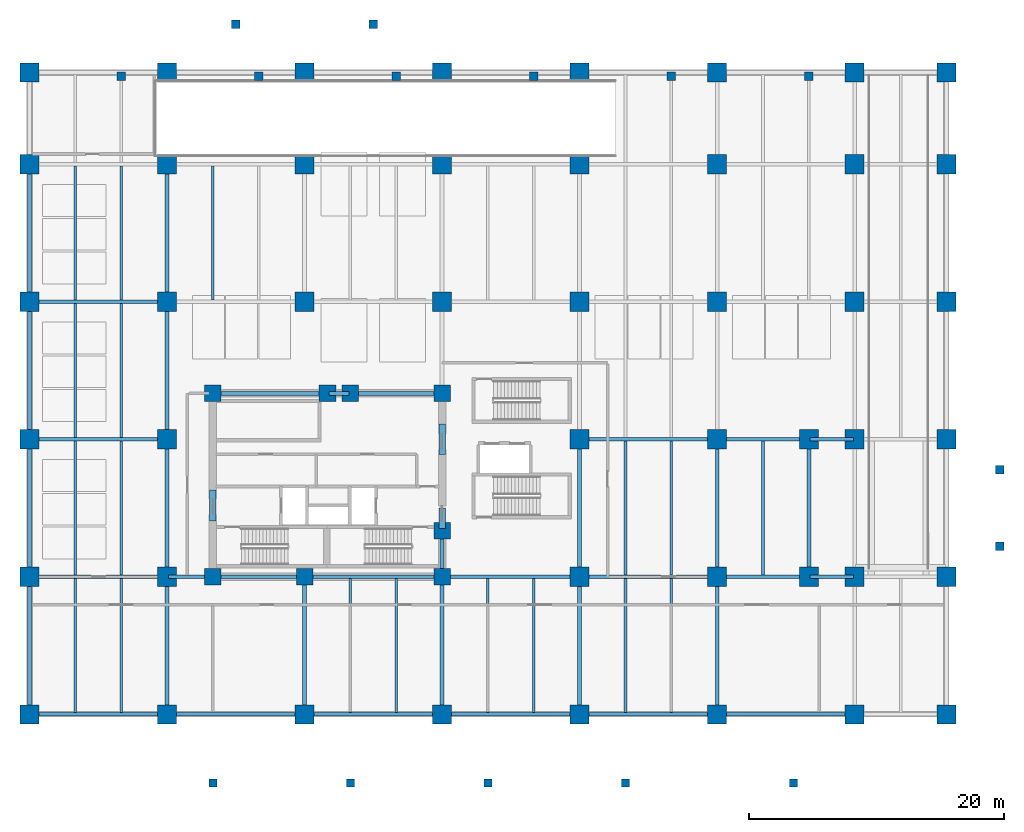
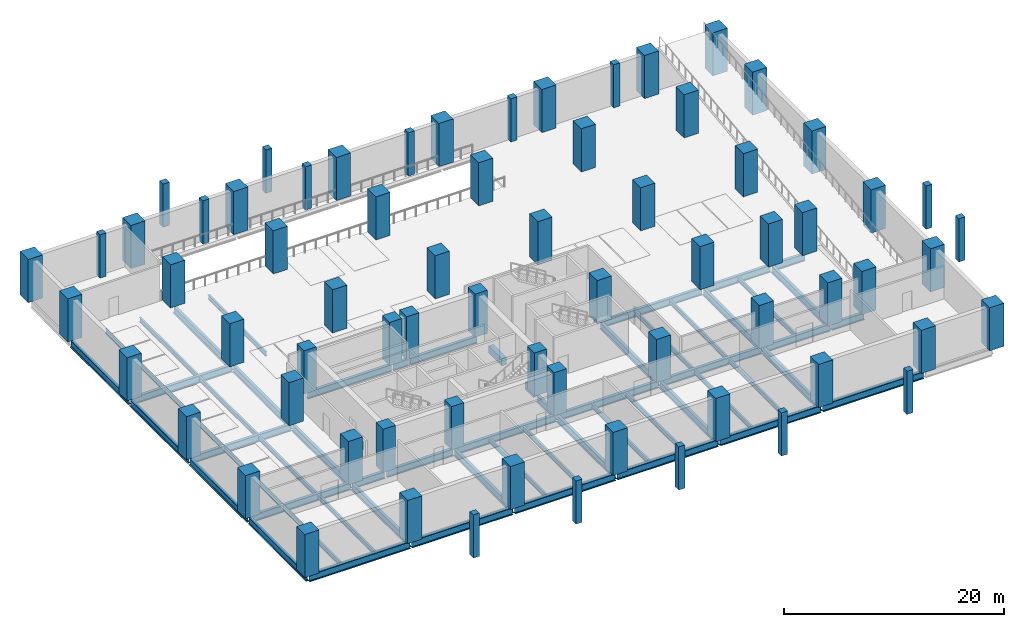
# One storey, part 1 of 8: 69 columns, 59 beams.
"""IFC4 building model written with IfcOpenShell, lengths in metres."""

from ifc_helpers import new_model, si_unit, direction, frame, origin, origin_2d, place, context, subcontext, project, spatial, rectangle, i_section, extrude, material, material_profile, profile_set, type_object, element, save


model = new_model("IFC4")

# Units and contexts
model_context = context("Model", 3, precision=1e-05, world=origin(), true_north=direction((0.0, 1.0)))
body_context = subcontext(model_context, "Body", "Model", "MODEL_VIEW")
ifc_project = project(units=[si_unit("LENGTHUNIT", "METRE"), si_unit("AREAUNIT", "SQUARE_METRE"), si_unit("VOLUMEUNIT", "CUBIC_METRE"), si_unit("PLANEANGLEUNIT", "RADIAN"), si_unit("MASSUNIT", "GRAM", prefix="KILO")], contexts=[model_context])

# Site, building, storey
site_placement = place(None, origin())
site = spatial("IfcSite", under=ifc_project, at=site_placement, CompositionType="ELEMENT")
building_placement = place(site_placement, origin())
building = spatial("IfcBuilding", under=site, at=building_placement, Name="Solnavia Interchange Tower", CompositionType="ELEMENT")
storey_placement = place(building_placement, frame((0.0, 0.0, -4.800048828125)))
storey = spatial("IfcBuildingStorey", under=building, at=storey_placement, Name="B01", CompositionType="ELEMENT", Elevation=-4.800048828125)

# Columns
ifc_material_1 = material(Name="Concrete C60/75", Category="concrete")
ifc_material_profile_1 = material_profile(ifc_material_1, rectangle(XDim=1.300048828125, YDim=1.300048828125, at=origin_2d()), Name="RC 1300x1300")
ifc_profile_set_1 = profile_set([ifc_material_profile_1], Name="Concrete C60/75")
column_type_1 = type_object("IfcColumnType", Name="Col-RC-1300x1300", PredefinedType="COLUMN", material=ifc_profile_set_1)
for number, where, z_axis, x_axis, name in (
    (1, (14.39990234375, 10.800048828125, 0.0), (0.0, 0.0, 1.0), (1.0, 0.0, 0.0), "COL-B01-P13 Podium core column"),
    (2, (14.39990234375, 25.199951171875, 0.0), (0.0, 0.0, 1.0), (1.0, 0.0, 0.0), "COL-B01-P14 Podium core column"),
    (3, (21.60009765625, 10.800048828125, 0.0), (0.0, 0.0, 1.0), (1.0, 0.0, 0.0), "COL-B01-P16 Podium core column"),
    (4, (23.39990234375, 25.199951171875, 0.0), (0.0, 0.0, 1.0), (1.0, 0.0, 0.0), "COL-B01-P20 Podium core column"),
    (5, (25.199951171875, 25.199951171875, 0.0), (0.0, 0.0, 1.0), (1.0, 0.0, 0.0), "COL-B01-P21 Podium core column"),
    (6, (32.39990234375, 10.800048828125, 0.0), (0.0, 0.0, 1.0), (1.0, 0.0, 0.0), "COL-B01-P23 Podium core column"),
    (7, (32.39990234375, 14.39990234375, 0.0), (0.0, 0.0, 1.0), (1.0, 0.0, 0.0), "COL-B01-P24 Podium core column"),
    (8, (32.39990234375, 25.199951171875, 0.0), (0.0, 0.0, 1.0), (1.0, 0.0, 0.0), "COL-B01-P25 Podium core column"),
):
    element("IfcColumn", number, at=place(storey_placement, frame(where, z_axis=z_axis, x_axis=x_axis)), inside=storey, type_object=column_type_1, Name=name, PredefinedType="COLUMN", context=body_context, shape_type="SweptSolid", body=[
        extrude(rectangle(XDim=1.300048828125, YDim=1.300048828125, at=origin_2d()), origin(), (0.0, 0.0, 1.0), 4.800048828125),
    ])
ifc_material_profile_2 = material_profile(ifc_material_1, rectangle(XDim=1.5, YDim=1.5, at=origin_2d()), Name="RC 1500x1500")
ifc_profile_set_2 = profile_set([ifc_material_profile_2], Name="Concrete C60/75")
column_type_2 = type_object("IfcColumnType", Name="Col-RC-1500x1500", PredefinedType="COLUMN", material=ifc_profile_set_2)
for number, where, z_axis, x_axis, name in (
    (9, (0.0, 0.0, 0.0), (0.0, 0.0, 1.0), (1.0, 0.0, 0.0), "COL-B01-P01 Podium concourse column"),
    (10, (0.0, 10.800048828125, 0.0), (0.0, 0.0, 1.0), (1.0, 0.0, 0.0), "COL-B01-P02 Podium concourse column"),
    (11, (0.0, 21.60009765625, 0.0), (0.0, 0.0, 1.0), (1.0, 0.0, 0.0), "COL-B01-P03 Podium concourse column"),
    (12, (0.0, 32.39990234375, 0.0), (0.0, 0.0, 1.0), (1.0, 0.0, 0.0), "COL-B01-P04 Podium concourse column"),
    (13, (0.0, 43.199951171875, 0.0), (0.0, 0.0, 1.0), (1.0, 0.0, 0.0), "COL-B01-P05 Podium concourse column"),
    (14, (0.0, 50.39990234375, 0.0), (0.0, 0.0, 1.0), (1.0, 0.0, 0.0), "COL-B01-P06 Podium concourse column"),
    (15, (10.800048828125, 0.0, 0.0), (0.0, 0.0, 1.0), (1.0, 0.0, 0.0), "COL-B01-P07 Podium concourse column"),
    (16, (10.800048828125, 10.800048828125, 0.0), (0.0, 0.0, 1.0), (1.0, 0.0, 0.0), "COL-B01-P08 Podium concourse column"),
    (17, (10.800048828125, 21.60009765625, 0.0), (0.0, 0.0, 1.0), (1.0, 0.0, 0.0), "COL-B01-P09 Podium concourse column"),
    (18, (10.800048828125, 32.39990234375, 0.0), (0.0, 0.0, 1.0), (1.0, 0.0, 0.0), "COL-B01-P10 Podium concourse column"),
    (19, (10.800048828125, 43.199951171875, 0.0), (0.0, 0.0, 1.0), (1.0, 0.0, 0.0), "COL-B01-P11 Podium concourse column"),
    (20, (10.800048828125, 50.39990234375, 0.0), (0.0, 0.0, 1.0), (1.0, 0.0, 0.0), "COL-B01-P12 Podium concourse column"),
    (21, (21.60009765625, 0.0, 0.0), (0.0, 0.0, 1.0), (1.0, 0.0, 0.0), "COL-B01-P15 Podium concourse column"),
    (22, (21.60009765625, 32.39990234375, 0.0), (0.0, 0.0, 1.0), (1.0, 0.0, 0.0), "COL-B01-P17 Podium concourse column"),
    (23, (21.60009765625, 43.199951171875, 0.0), (0.0, 0.0, 1.0), (1.0, 0.0, 0.0), "COL-B01-P18 Podium concourse column"),
    (24, (21.60009765625, 50.39990234375, 0.0), (0.0, 0.0, 1.0), (1.0, 0.0, 0.0), "COL-B01-P19 Podium concourse column"),
    (25, (32.39990234375, 0.0, 0.0), (0.0, 0.0, 1.0), (1.0, 0.0, 0.0), "COL-B01-P22 Podium concourse column"),
    (26, (32.39990234375, 32.39990234375, 0.0), (0.0, 0.0, 1.0), (1.0, 0.0, 0.0), "COL-B01-P26 Podium concourse column"),
    (27, (32.39990234375, 43.199951171875, 0.0), (0.0, 0.0, 1.0), (1.0, 0.0, 0.0), "COL-B01-P27 Podium concourse column"),
    (28, (32.39990234375, 50.39990234375, 0.0), (0.0, 0.0, 1.0), (1.0, 0.0, 0.0), "COL-B01-P28 Podium concourse column"),
    (29, (43.199951171875, 0.0, 0.0), (0.0, 0.0, 1.0), (1.0, 0.0, 0.0), "COL-B01-P29 Podium concourse column"),
    (30, (43.199951171875, 10.800048828125, 0.0), (0.0, 0.0, 1.0), (1.0, 0.0, 0.0), "COL-B01-P30 Podium concourse column"),
    (31, (43.199951171875, 21.60009765625, 0.0), (0.0, 0.0, 1.0), (1.0, 0.0, 0.0), "COL-B01-P31 Podium concourse column"),
    (32, (43.199951171875, 32.39990234375, 0.0), (0.0, 0.0, 1.0), (1.0, 0.0, 0.0), "COL-B01-P32 Podium concourse column"),
    (33, (43.199951171875, 43.199951171875, 0.0), (0.0, 0.0, 1.0), (1.0, 0.0, 0.0), "COL-B01-P33 Podium concourse column"),
    (34, (43.199951171875, 50.39990234375, 0.0), (0.0, 0.0, 1.0), (1.0, 0.0, 0.0), "COL-B01-P34 Podium concourse column"),
    (35, (54.0, 0.0, 0.0), (0.0, 0.0, 1.0), (1.0, 0.0, 0.0), "COL-B01-P35 Podium concourse column"),
    (36, (54.0, 10.800048828125, 0.0), (0.0, 0.0, 1.0), (1.0, 0.0, 0.0), "COL-B01-P36 Podium concourse column"),
    (37, (54.0, 21.60009765625, 0.0), (0.0, 0.0, 1.0), (1.0, 0.0, 0.0), "COL-B01-P37 Podium concourse column"),
    (38, (54.0, 32.39990234375, 0.0), (0.0, 0.0, 1.0), (1.0, 0.0, 0.0), "COL-B01-P38 Podium concourse column"),
    (39, (54.0, 43.199951171875, 0.0), (0.0, 0.0, 1.0), (1.0, 0.0, 0.0), "COL-B01-P39 Podium concourse column"),
    (40, (54.0, 50.39990234375, 0.0), (0.0, 0.0, 1.0), (1.0, 0.0, 0.0), "COL-B01-P40 Podium concourse column"),
    (41, (61.199951171875, 10.800048828125, 0.0), (0.0, 0.0, 1.0), (1.0, 0.0, 0.0), "COL-B01-P41 Podium concourse column"),
    (42, (61.199951171875, 21.60009765625, 0.0), (0.0, 0.0, 1.0), (1.0, 0.0, 0.0), "COL-B01-P42 Podium concourse column"),
    (43, (64.800048828125, 0.0, 0.0), (0.0, 0.0, 1.0), (1.0, 0.0, 0.0), "COL-B01-P43 Podium concourse column"),
    (44, (64.800048828125, 10.800048828125, 0.0), (0.0, 0.0, 1.0), (1.0, 0.0, 0.0), "COL-B01-P44 Podium concourse column"),
    (45, (64.800048828125, 21.60009765625, 0.0), (0.0, 0.0, 1.0), (1.0, 0.0, 0.0), "COL-B01-P45 Podium concourse column"),
    (46, (64.800048828125, 32.39990234375, 0.0), (0.0, 0.0, 1.0), (1.0, 0.0, 0.0), "COL-B01-P46 Podium concourse column"),
    (47, (64.800048828125, 43.199951171875, 0.0), (0.0, 0.0, 1.0), (1.0, 0.0, 0.0), "COL-B01-P47 Podium concourse column"),
    (48, (64.800048828125, 50.39990234375, 0.0), (0.0, 0.0, 1.0), (1.0, 0.0, 0.0), "COL-B01-P48 Podium concourse column"),
    (49, (72.0, 0.0, 0.0), (0.0, 0.0, 1.0), (1.0, 0.0, 0.0), "COL-B01-P49 Podium concourse column"),
    (50, (72.0, 10.800048828125, 0.0), (0.0, 0.0, 1.0), (1.0, 0.0, 0.0), "COL-B01-P50 Podium concourse column"),
    (51, (72.0, 21.60009765625, 0.0), (0.0, 0.0, 1.0), (1.0, 0.0, 0.0), "COL-B01-P51 Podium concourse column"),
    (52, (72.0, 32.39990234375, 0.0), (0.0, 0.0, 1.0), (1.0, 0.0, 0.0), "COL-B01-P52 Podium concourse column"),
    (53, (72.0, 43.199951171875, 0.0), (0.0, 0.0, 1.0), (1.0, 0.0, 0.0), "COL-B01-P53 Podium concourse column"),
    (54, (72.0, 50.39990234375, 0.0), (0.0, 0.0, 1.0), (1.0, 0.0, 0.0), "COL-B01-P54 Podium concourse column"),
):
    element("IfcColumn", number, at=place(storey_placement, frame(where, z_axis=z_axis, x_axis=x_axis)), inside=storey, type_object=column_type_2, Name=name, PredefinedType="COLUMN", context=body_context, shape_type="SweptSolid", body=[
        extrude(rectangle(XDim=1.5, YDim=1.5, at=origin_2d()), origin(), (0.0, 0.0, 1.0), 4.800048828125),
    ])
ifc_material_2 = material(Name="Concrete C50/60", Category="concrete")
ifc_material_profile_3 = material_profile(ifc_material_2, rectangle(XDim=0.64990234375, YDim=0.64990234375, at=origin_2d()), Name="RC 650x650")
ifc_profile_set_3 = profile_set([ifc_material_profile_3], Name="Concrete C50/60")
column_type_3 = type_object("IfcColumnType", Name="Col-RC-650x650", PredefinedType="COLUMN", material=ifc_profile_set_3)
for number, where, z_axis, x_axis, name in (
    (55, (14.39990234375, -5.39990234375, 0.0), (0.0, 0.0, 1.0), (1.0, 0.0, 0.0), "COL-B01-C01 Waterfront canopy column"),
    (56, (25.199951171875, -5.39990234375, 0.0), (0.0, 0.0, 1.0), (1.0, 0.0, 0.0), "COL-B01-C02 Waterfront canopy column"),
    (57, (36.0, -5.39990234375, 0.0), (0.0, 0.0, 1.0), (1.0, 0.0, 0.0), "COL-B01-C03 Waterfront canopy column"),
    (58, (46.800048828125, -5.39990234375, 0.0), (0.0, 0.0, 1.0), (1.0, 0.0, 0.0), "COL-B01-C04 Waterfront canopy column"),
    (59, (60.0, -5.39990234375, 0.0), (0.0, 0.0, 1.0), (1.0, 0.0, 0.0), "COL-B01-C05 Waterfront canopy column"),
    (60, (16.199951171875, 54.199951171875, 0.0), (0.0, 0.0, 1.0), (1.0, 0.0, 0.0), "COL-B01-C06 Waterfront canopy column"),
    (61, (27.0, 54.199951171875, 0.0), (0.0, 0.0, 1.0), (1.0, 0.0, 0.0), "COL-B01-C07 Waterfront canopy column"),
    (62, (76.199951171875, 13.199951171875, 0.0), (0.0, 0.0, 1.0), (1.0, 0.0, 0.0), "COL-B01-C08 Waterfront canopy column"),
    (63, (76.199951171875, 19.199951171875, 0.0), (0.0, 0.0, 1.0), (1.0, 0.0, 0.0), "COL-B01-C09 Waterfront canopy column"),
):
    element("IfcColumn", number, at=place(storey_placement, frame(where, z_axis=z_axis, x_axis=x_axis)), inside=storey, type_object=column_type_3, Name=name, PredefinedType="COLUMN", context=body_context, shape_type="SweptSolid", body=[
        extrude(rectangle(XDim=0.64990234375, YDim=0.64990234375, at=origin_2d()), origin(), (0.0, 0.0, 1.0), 4.800048828125),
    ])
ifc_material_3 = material(Name="Concrete C40/50", Category="concrete")
ifc_material_profile_4 = material_profile(ifc_material_3, rectangle(XDim=0.64990234375, YDim=0.64990234375, at=origin_2d()), Name="RC 650x650")
ifc_profile_set_4 = profile_set([ifc_material_profile_4], Name="Concrete C40/50")
column_type_4 = type_object("IfcColumnType", Name="Pilaster-RC-650x650", PredefinedType="PILASTER", material=ifc_profile_set_4)
for number, where, z_axis, x_axis, name in (
    (64, (7.199951171875, 50.10009765625, 0.0), (0.0, 0.0, 1.0), (1.0, 0.0, 0.0), "PLS-B01-01 Retaining wall pilaster"),
    (65, (18.0, 50.10009765625, 0.0), (0.0, 0.0, 1.0), (1.0, 0.0, 0.0), "PLS-B01-02 Retaining wall pilaster"),
    (66, (28.800048828125, 50.10009765625, 0.0), (0.0, 0.0, 1.0), (1.0, 0.0, 0.0), "PLS-B01-03 Retaining wall pilaster"),
    (67, (39.60009765625, 50.10009765625, 0.0), (0.0, 0.0, 1.0), (1.0, 0.0, 0.0), "PLS-B01-04 Retaining wall pilaster"),
    (68, (50.39990234375, 50.10009765625, 0.0), (0.0, 0.0, 1.0), (1.0, 0.0, 0.0), "PLS-B01-05 Retaining wall pilaster"),
    (69, (61.199951171875, 50.10009765625, 0.0), (0.0, 0.0, 1.0), (1.0, 0.0, 0.0), "PLS-B01-06 Retaining wall pilaster"),
):
    element("IfcColumn", number, at=place(storey_placement, frame(where, z_axis=z_axis, x_axis=x_axis)), inside=storey, type_object=column_type_4, Name=name, PredefinedType="PILASTER", context=body_context, shape_type="SweptSolid", body=[
        extrude(rectangle(XDim=0.64990234375, YDim=0.64990234375, at=origin_2d()), origin(), (0.0, 0.0, 1.0), 4.800048828125),
    ])

# Beams
ifc_material_profile_5 = material_profile(ifc_material_2, rectangle(XDim=0.5, YDim=0.800048828125, at=origin_2d()), Name="RC 500x800")
ifc_profile_set_5 = profile_set([ifc_material_profile_5], Name="Concrete C50/60")
beam_type_1 = type_object("IfcBeamType", Name="Beam-Coupling-RC500x800", PredefinedType="LINTEL", material=ifc_profile_set_5)
beam_1_placement = place(storey_placement, frame((14.39990234375, 15.199951171875, -0.39990234375), z_axis=(0.0, 1.0, 0.0), x_axis=(-1.0, 0.0, 0.0)))
element("IfcBeam", 70, at=beam_1_placement, inside=storey, type_object=beam_type_1, Name="CPB-B01-W1 Core coupling lintel beam", PredefinedType="LINTEL", context=body_context, shape_type="SweptSolid", body=[
    extrude(rectangle(XDim=0.5, YDim=0.800048828125, at=origin_2d()), origin(), (0.0, 0.0, 1.0), 2.400146484375),
])
beam_2_placement = place(storey_placement, frame((32.39990234375, 14.60009765625, -0.39990234375), z_axis=(0.0, 1.0, 0.0), x_axis=(-1.0, 0.0, 0.0)))
element("IfcBeam", 71, at=beam_2_placement, inside=storey, type_object=beam_type_1, Name="CPB-B01-E1 Core coupling lintel beam", PredefinedType="LINTEL", context=body_context, shape_type="SweptSolid", body=[
    extrude(rectangle(XDim=0.5, YDim=0.800048828125, at=origin_2d()), origin(), (0.0, 0.0, 1.0), 1.599853515625),
])
beam_3_placement = place(storey_placement, frame((32.39990234375, 20.39990234375, -0.39990234375), z_axis=(0.0, 1.0, 0.0), x_axis=(-1.0, 0.0, 0.0)))
element("IfcBeam", 72, at=beam_3_placement, inside=storey, type_object=beam_type_1, Name="CPB-B01-E2 Core coupling lintel beam", PredefinedType="LINTEL", context=body_context, shape_type="SweptSolid", body=[
    extrude(rectangle(XDim=0.5, YDim=0.800048828125, at=origin_2d()), origin(), (0.0, 0.0, 1.0), 2.400146484375),
])
ifc_material_4 = material(Name="Steel S460", Category="steel")
ifc_material_profile_6 = material_profile(ifc_material_4, i_section(OverallWidth=0.300048828125, OverallDepth=0.800048828125, WebThickness=0.017578125, FlangeThickness=0.032958984375, FilletRadius=0.030029296875, at=origin_2d()), Name="HEB 800")
ifc_profile_set_6 = profile_set([ifc_material_profile_6], Name="Steel S460")
beam_type_2 = type_object("IfcBeamType", Name="Beam-Girder-HEB800", PredefinedType="BEAM", material=ifc_profile_set_6)
beam_4_placement = place(storey_placement, frame((0.10009765625, 0.0, -0.75), z_axis=(1.0, 0.0, 0.0), x_axis=(0.0, 1.0, 0.0)))
element("IfcBeam", 73, at=beam_4_placement, inside=storey, type_object=beam_type_2, Name="GRD-B01-01 Podium primary girder", PredefinedType="BEAM", context=body_context, shape_type="SweptSolid", body=[
    extrude(i_section(OverallWidth=0.300048828125, OverallDepth=0.800048828125, WebThickness=0.017578125, FlangeThickness=0.032958984375, FilletRadius=0.030029296875, at=origin_2d()), origin(), (0.0, 0.0, 1.0), 10.599853515625),
])
for number, where, z_axis, x_axis, name in (
    (74, (10.89990234375, 0.0, -0.75), (1.0, 0.0, 0.0), (0.0, 1.0, 0.0), "GRD-B01-02 Podium primary girder"),
    (75, (21.699951171875, 0.0, -0.75), (1.0, 0.0, 0.0), (0.0, 1.0, 0.0), "GRD-B01-03 Podium primary girder"),
    (76, (32.5, 0.0, -0.75), (1.0, 0.0, 0.0), (0.0, 1.0, 0.0), "GRD-B01-04 Podium primary girder"),
):
    element("IfcBeam", number, at=place(storey_placement, frame(where, z_axis=z_axis, x_axis=x_axis)), inside=storey, type_object=beam_type_2, Name=name, PredefinedType="BEAM", context=body_context, shape_type="SweptSolid", body=[
        extrude(i_section(OverallWidth=0.300048828125, OverallDepth=0.800048828125, WebThickness=0.017578125, FlangeThickness=0.032958984375, FilletRadius=0.030029296875, at=origin_2d()), origin(), (0.0, 0.0, 1.0), 10.60009765625),
    ])
for number, where, z_axis, x_axis, name in (
    (77, (43.300048828125, 0.0, -0.75), (1.0, 0.0, 0.0), (0.0, 1.0, 0.0), "GRD-B01-05 Podium primary girder"),
    (78, (54.10009765625, 0.0, -0.75), (1.0, 0.0, 0.0), (0.0, 1.0, 0.0), "GRD-B01-06 Podium primary girder"),
    (79, (0.10009765625, 10.800048828125, -0.75), (1.0, 0.0, 0.0), (0.0, 1.0, 0.0), "GRD-B01-08 Podium primary girder"),
):
    element("IfcBeam", number, at=place(storey_placement, frame(where, z_axis=z_axis, x_axis=x_axis)), inside=storey, type_object=beam_type_2, Name=name, PredefinedType="BEAM", context=body_context, shape_type="SweptSolid", body=[
        extrude(i_section(OverallWidth=0.300048828125, OverallDepth=0.800048828125, WebThickness=0.017578125, FlangeThickness=0.032958984375, FilletRadius=0.030029296875, at=origin_2d()), origin(), (0.0, 0.0, 1.0), 10.599853515625),
    ])
beam_5_placement = place(storey_placement, frame((10.89990234375, 10.800048828125, -0.75), z_axis=(1.0, 0.0, 0.0), x_axis=(0.0, 1.0, 0.0)))
element("IfcBeam", 80, at=beam_5_placement, inside=storey, type_object=beam_type_2, Name="GRD-B01-09 Podium primary girder", PredefinedType="BEAM", context=body_context, shape_type="SweptSolid", body=[
    extrude(i_section(OverallWidth=0.300048828125, OverallDepth=0.800048828125, WebThickness=0.017578125, FlangeThickness=0.032958984375, FilletRadius=0.030029296875, at=origin_2d()), origin(), (0.0, 0.0, 1.0), 3.400146484375),
])
beam_6_placement = place(storey_placement, frame((14.5, 10.800048828125, -0.75), z_axis=(1.0, 0.0, 0.0), x_axis=(0.0, 1.0, 0.0)))
element("IfcBeam", 81, at=beam_6_placement, inside=storey, type_object=beam_type_2, Name="GRD-B01-10 Podium primary girder", PredefinedType="BEAM", context=body_context, shape_type="SweptSolid", body=[
    extrude(i_section(OverallWidth=0.300048828125, OverallDepth=0.800048828125, WebThickness=0.017578125, FlangeThickness=0.032958984375, FilletRadius=0.030029296875, at=origin_2d()), origin(), (0.0, 0.0, 1.0), 7.0),
])
for number, where, z_axis, x_axis, name in (
    (82, (21.699951171875, 10.800048828125, -0.75), (1.0, 0.0, 0.0), (0.0, 1.0, 0.0), "GRD-B01-11 Podium primary girder"),
    (83, (32.5, 10.800048828125, -0.75), (1.0, 0.0, 0.0), (0.0, 1.0, 0.0), "GRD-B01-12 Podium primary girder"),
):
    element("IfcBeam", number, at=place(storey_placement, frame(where, z_axis=z_axis, x_axis=x_axis)), inside=storey, type_object=beam_type_2, Name=name, PredefinedType="BEAM", context=body_context, shape_type="SweptSolid", body=[
        extrude(i_section(OverallWidth=0.300048828125, OverallDepth=0.800048828125, WebThickness=0.017578125, FlangeThickness=0.032958984375, FilletRadius=0.030029296875, at=origin_2d()), origin(), (0.0, 0.0, 1.0), 10.60009765625),
    ])
beam_7_placement = place(storey_placement, frame((43.300048828125, 10.800048828125, -0.75), z_axis=(1.0, 0.0, 0.0), x_axis=(0.0, 1.0, 0.0)))
element("IfcBeam", 84, at=beam_7_placement, inside=storey, type_object=beam_type_2, Name="GRD-B01-13 Podium primary girder", PredefinedType="BEAM", context=body_context, shape_type="SweptSolid", body=[
    extrude(i_section(OverallWidth=0.300048828125, OverallDepth=0.800048828125, WebThickness=0.017578125, FlangeThickness=0.032958984375, FilletRadius=0.030029296875, at=origin_2d()), origin(), (0.0, 0.0, 1.0), 10.599853515625),
])
beam_8_placement = place(storey_placement, frame((54.10009765625, 10.800048828125, -0.75), z_axis=(1.0, 0.0, 0.0), x_axis=(0.0, 1.0, 0.0)))
element("IfcBeam", 85, at=beam_8_placement, inside=storey, type_object=beam_type_2, Name="GRD-B01-14 Podium primary girder", PredefinedType="BEAM", context=body_context, shape_type="SweptSolid", body=[
    extrude(i_section(OverallWidth=0.300048828125, OverallDepth=0.800048828125, WebThickness=0.017578125, FlangeThickness=0.032958984375, FilletRadius=0.030029296875, at=origin_2d()), origin(), (0.0, 0.0, 1.0), 7.0),
])
beam_9_placement = place(storey_placement, frame((61.300048828125, 10.800048828125, -0.75), z_axis=(1.0, 0.0, 0.0), x_axis=(0.0, 1.0, 0.0)))
element("IfcBeam", 86, at=beam_9_placement, inside=storey, type_object=beam_type_2, Name="GRD-B01-15 Podium primary girder", PredefinedType="BEAM", context=body_context, shape_type="SweptSolid", body=[
    extrude(i_section(OverallWidth=0.300048828125, OverallDepth=0.800048828125, WebThickness=0.017578125, FlangeThickness=0.032958984375, FilletRadius=0.030029296875, at=origin_2d()), origin(), (0.0, 0.0, 1.0), 3.39990234375),
])
for number, where, z_axis, x_axis, name in (
    (87, (0.10009765625, 21.60009765625, -0.75), (1.0, 0.0, 0.0), (0.0, 1.0, 0.0), "GRD-B01-17 Podium primary girder"),
    (88, (43.300048828125, 21.60009765625, -0.75), (1.0, 0.0, 0.0), (0.0, 1.0, 0.0), "GRD-B01-18 Podium primary girder"),
):
    element("IfcBeam", number, at=place(storey_placement, frame(where, z_axis=z_axis, x_axis=x_axis)), inside=storey, type_object=beam_type_2, Name=name, PredefinedType="BEAM", context=body_context, shape_type="SweptSolid", body=[
        extrude(i_section(OverallWidth=0.300048828125, OverallDepth=0.800048828125, WebThickness=0.017578125, FlangeThickness=0.032958984375, FilletRadius=0.030029296875, at=origin_2d()), origin(), (0.0, 0.0, 1.0), 10.599853515625),
    ])
beam_10_placement = place(storey_placement, frame((54.10009765625, 21.60009765625, -0.75), z_axis=(1.0, 0.0, 0.0), x_axis=(0.0, 1.0, 0.0)))
element("IfcBeam", 89, at=beam_10_placement, inside=storey, type_object=beam_type_2, Name="GRD-B01-19 Podium primary girder", PredefinedType="BEAM", context=body_context, shape_type="SweptSolid", body=[
    extrude(i_section(OverallWidth=0.300048828125, OverallDepth=0.800048828125, WebThickness=0.017578125, FlangeThickness=0.032958984375, FilletRadius=0.030029296875, at=origin_2d()), origin(), (0.0, 0.0, 1.0), 7.0),
])
beam_11_placement = place(storey_placement, frame((61.300048828125, 21.60009765625, -0.75), z_axis=(1.0, 0.0, 0.0), x_axis=(0.0, 1.0, 0.0)))
element("IfcBeam", 90, at=beam_11_placement, inside=storey, type_object=beam_type_2, Name="GRD-B01-20 Podium primary girder", PredefinedType="BEAM", context=body_context, shape_type="SweptSolid", body=[
    extrude(i_section(OverallWidth=0.300048828125, OverallDepth=0.800048828125, WebThickness=0.017578125, FlangeThickness=0.032958984375, FilletRadius=0.030029296875, at=origin_2d()), origin(), (0.0, 0.0, 1.0), 3.39990234375),
])
beam_12_placement = place(storey_placement, frame((14.5, 25.199951171875, -0.75), z_axis=(1.0, 0.0, 0.0), x_axis=(0.0, 1.0, 0.0)))
element("IfcBeam", 91, at=beam_12_placement, inside=storey, type_object=beam_type_2, Name="GRD-B01-22 Podium primary girder", PredefinedType="BEAM", context=body_context, shape_type="SweptSolid", body=[
    extrude(i_section(OverallWidth=0.300048828125, OverallDepth=0.800048828125, WebThickness=0.017578125, FlangeThickness=0.032958984375, FilletRadius=0.030029296875, at=origin_2d()), origin(), (0.0, 0.0, 1.0), 8.800048828125),
])
beam_13_placement = place(storey_placement, frame((23.5, 25.199951171875, -0.75), z_axis=(1.0, 0.0, 0.0), x_axis=(0.0, 1.0, 0.0)))
element("IfcBeam", 92, at=beam_13_placement, inside=storey, type_object=beam_type_2, Name="GRD-B01-23 Podium primary girder", PredefinedType="BEAM", context=body_context, shape_type="SweptSolid", body=[
    extrude(i_section(OverallWidth=0.300048828125, OverallDepth=0.800048828125, WebThickness=0.017578125, FlangeThickness=0.032958984375, FilletRadius=0.030029296875, at=origin_2d()), origin(), (0.0, 0.0, 1.0), 1.60009765625),
])
beam_14_placement = place(storey_placement, frame((25.300048828125, 25.199951171875, -0.75), z_axis=(1.0, 0.0, 0.0), x_axis=(0.0, 1.0, 0.0)))
element("IfcBeam", 93, at=beam_14_placement, inside=storey, type_object=beam_type_2, Name="GRD-B01-24 Podium primary girder", PredefinedType="BEAM", context=body_context, shape_type="SweptSolid", body=[
    extrude(i_section(OverallWidth=0.300048828125, OverallDepth=0.800048828125, WebThickness=0.017578125, FlangeThickness=0.032958984375, FilletRadius=0.030029296875, at=origin_2d()), origin(), (0.0, 0.0, 1.0), 7.0),
])
for number, where, z_axis, x_axis, name in (
    (94, (0.10009765625, 32.39990234375, -0.75), (1.0, 0.0, 0.0), (0.0, 1.0, 0.0), "GRD-B01-25 Podium primary girder"),
    (95, (0.0, 0.10009765625, -0.75), (0.0, 1.0, 0.0), (-1.0, 0.0, 0.0), "GRD-B01-46 Podium primary girder"),
):
    element("IfcBeam", number, at=place(storey_placement, frame(where, z_axis=z_axis, x_axis=x_axis)), inside=storey, type_object=beam_type_2, Name=name, PredefinedType="BEAM", context=body_context, shape_type="SweptSolid", body=[
        extrude(i_section(OverallWidth=0.300048828125, OverallDepth=0.800048828125, WebThickness=0.017578125, FlangeThickness=0.032958984375, FilletRadius=0.030029296875, at=origin_2d()), origin(), (0.0, 0.0, 1.0), 10.599853515625),
    ])
for number, where, z_axis, x_axis, name in (
    (96, (0.0, 10.89990234375, -0.75), (0.0, 1.0, 0.0), (-1.0, 0.0, 0.0), "GRD-B01-47 Podium primary girder"),
    (97, (0.0, 21.699951171875, -0.75), (0.0, 1.0, 0.0), (-1.0, 0.0, 0.0), "GRD-B01-48 Podium primary girder"),
    (98, (0.0, 32.5, -0.75), (0.0, 1.0, 0.0), (-1.0, 0.0, 0.0), "GRD-B01-49 Podium primary girder"),
):
    element("IfcBeam", number, at=place(storey_placement, frame(where, z_axis=z_axis, x_axis=x_axis)), inside=storey, type_object=beam_type_2, Name=name, PredefinedType="BEAM", context=body_context, shape_type="SweptSolid", body=[
        extrude(i_section(OverallWidth=0.300048828125, OverallDepth=0.800048828125, WebThickness=0.017578125, FlangeThickness=0.032958984375, FilletRadius=0.030029296875, at=origin_2d()), origin(), (0.0, 0.0, 1.0), 10.60009765625),
    ])
beam_15_placement = place(storey_placement, frame((10.800048828125, 0.10009765625, -0.75), z_axis=(0.0, 1.0, 0.0), x_axis=(-1.0, 0.0, 0.0)))
element("IfcBeam", 99, at=beam_15_placement, inside=storey, type_object=beam_type_2, Name="GRD-B01-51 Podium primary girder", PredefinedType="BEAM", context=body_context, shape_type="SweptSolid", body=[
    extrude(i_section(OverallWidth=0.300048828125, OverallDepth=0.800048828125, WebThickness=0.017578125, FlangeThickness=0.032958984375, FilletRadius=0.030029296875, at=origin_2d()), origin(), (0.0, 0.0, 1.0), 10.599853515625),
])
for number, where, z_axis, x_axis, name in (
    (100, (10.800048828125, 10.89990234375, -0.75), (0.0, 1.0, 0.0), (-1.0, 0.0, 0.0), "GRD-B01-52 Podium primary girder"),
    (101, (10.800048828125, 21.699951171875, -0.75), (0.0, 1.0, 0.0), (-1.0, 0.0, 0.0), "GRD-B01-53 Podium primary girder"),
    (102, (10.800048828125, 32.5, -0.75), (0.0, 1.0, 0.0), (-1.0, 0.0, 0.0), "GRD-B01-54 Podium primary girder"),
):
    element("IfcBeam", number, at=place(storey_placement, frame(where, z_axis=z_axis, x_axis=x_axis)), inside=storey, type_object=beam_type_2, Name=name, PredefinedType="BEAM", context=body_context, shape_type="SweptSolid", body=[
        extrude(i_section(OverallWidth=0.300048828125, OverallDepth=0.800048828125, WebThickness=0.017578125, FlangeThickness=0.032958984375, FilletRadius=0.030029296875, at=origin_2d()), origin(), (0.0, 0.0, 1.0), 10.60009765625),
    ])
for number, where, z_axis, x_axis, name in (
    (103, (21.60009765625, 0.10009765625, -0.75), (0.0, 1.0, 0.0), (-1.0, 0.0, 0.0), "GRD-B01-55 Podium primary girder"),
    (104, (32.39990234375, 0.10009765625, -0.75), (0.0, 1.0, 0.0), (-1.0, 0.0, 0.0), "GRD-B01-57 Podium primary girder"),
):
    element("IfcBeam", number, at=place(storey_placement, frame(where, z_axis=z_axis, x_axis=x_axis)), inside=storey, type_object=beam_type_2, Name=name, PredefinedType="BEAM", context=body_context, shape_type="SweptSolid", body=[
        extrude(i_section(OverallWidth=0.300048828125, OverallDepth=0.800048828125, WebThickness=0.017578125, FlangeThickness=0.032958984375, FilletRadius=0.030029296875, at=origin_2d()), origin(), (0.0, 0.0, 1.0), 10.599853515625),
    ])
beam_16_placement = place(storey_placement, frame((32.39990234375, 10.89990234375, -0.75), z_axis=(0.0, 1.0, 0.0), x_axis=(-1.0, 0.0, 0.0)))
element("IfcBeam", 105, at=beam_16_placement, inside=storey, type_object=beam_type_2, Name="GRD-B01-58 Podium primary girder", PredefinedType="BEAM", context=body_context, shape_type="SweptSolid", body=[
    extrude(i_section(OverallWidth=0.300048828125, OverallDepth=0.800048828125, WebThickness=0.017578125, FlangeThickness=0.032958984375, FilletRadius=0.030029296875, at=origin_2d()), origin(), (0.0, 0.0, 1.0), 3.400146484375),
])
beam_17_placement = place(storey_placement, frame((43.199951171875, 0.10009765625, -0.75), z_axis=(0.0, 1.0, 0.0), x_axis=(-1.0, 0.0, 0.0)))
element("IfcBeam", 106, at=beam_17_placement, inside=storey, type_object=beam_type_2, Name="GRD-B01-61 Podium primary girder", PredefinedType="BEAM", context=body_context, shape_type="SweptSolid", body=[
    extrude(i_section(OverallWidth=0.300048828125, OverallDepth=0.800048828125, WebThickness=0.017578125, FlangeThickness=0.032958984375, FilletRadius=0.030029296875, at=origin_2d()), origin(), (0.0, 0.0, 1.0), 10.599853515625),
])
beam_18_placement = place(storey_placement, frame((43.199951171875, 10.89990234375, -0.75), z_axis=(0.0, 1.0, 0.0), x_axis=(-1.0, 0.0, 0.0)))
element("IfcBeam", 107, at=beam_18_placement, inside=storey, type_object=beam_type_2, Name="GRD-B01-62 Podium primary girder", PredefinedType="BEAM", context=body_context, shape_type="SweptSolid", body=[
    extrude(i_section(OverallWidth=0.300048828125, OverallDepth=0.800048828125, WebThickness=0.017578125, FlangeThickness=0.032958984375, FilletRadius=0.030029296875, at=origin_2d()), origin(), (0.0, 0.0, 1.0), 10.60009765625),
])
beam_19_placement = place(storey_placement, frame((54.0, 0.10009765625, -0.75), z_axis=(0.0, 1.0, 0.0), x_axis=(-1.0, 0.0, 0.0)))
element("IfcBeam", 108, at=beam_19_placement, inside=storey, type_object=beam_type_2, Name="GRD-B01-65 Podium primary girder", PredefinedType="BEAM", context=body_context, shape_type="SweptSolid", body=[
    extrude(i_section(OverallWidth=0.300048828125, OverallDepth=0.800048828125, WebThickness=0.017578125, FlangeThickness=0.032958984375, FilletRadius=0.030029296875, at=origin_2d()), origin(), (0.0, 0.0, 1.0), 10.599853515625),
])
for number, where, z_axis, x_axis, name in (
    (109, (54.0, 10.89990234375, -0.75), (0.0, 1.0, 0.0), (-1.0, 0.0, 0.0), "GRD-B01-66 Podium primary girder"),
    (110, (61.199951171875, 10.89990234375, -0.75), (0.0, 1.0, 0.0), (-1.0, 0.0, 0.0), "GRD-B01-70 Podium primary girder"),
):
    element("IfcBeam", number, at=place(storey_placement, frame(where, z_axis=z_axis, x_axis=x_axis)), inside=storey, type_object=beam_type_2, Name=name, PredefinedType="BEAM", context=body_context, shape_type="SweptSolid", body=[
        extrude(i_section(OverallWidth=0.300048828125, OverallDepth=0.800048828125, WebThickness=0.017578125, FlangeThickness=0.032958984375, FilletRadius=0.030029296875, at=origin_2d()), origin(), (0.0, 0.0, 1.0), 10.60009765625),
    ])
ifc_material_5 = material(Name="Steel S355", Category="steel")
ifc_material_profile_7 = material_profile(ifc_material_5, i_section(OverallWidth=0.199951171875, OverallDepth=0.5, WebThickness=0.01025390625, FlangeThickness=0.01611328125, FilletRadius=0.02099609375, at=origin_2d()), Name="IPE 500")
ifc_profile_set_7 = profile_set([ifc_material_profile_7], Name="Steel S355")
beam_type_3 = type_object("IfcBeamType", Name="Beam-Joist-IPE500", PredefinedType="JOIST", material=ifc_profile_set_7)
for number, where, z_axis, x_axis, name in (
    (111, (3.60009765625, 0.14990234375, -0.599853515625), (0.0, 1.0, 0.0), (-1.0, 0.0, 0.0), "JST-B01-01 Podium composite floor joist"),
    (112, (3.60009765625, 10.949951171875, -0.599853515625), (0.0, 1.0, 0.0), (-1.0, 0.0, 0.0), "JST-B01-02 Podium composite floor joist"),
    (113, (3.60009765625, 21.75, -0.599853515625), (0.0, 1.0, 0.0), (-1.0, 0.0, 0.0), "JST-B01-03 Podium composite floor joist"),
    (114, (3.60009765625, 32.550048828125, -0.599853515625), (0.0, 1.0, 0.0), (-1.0, 0.0, 0.0), "JST-B01-04 Podium composite floor joist"),
    (115, (7.199951171875, 0.14990234375, -0.599853515625), (0.0, 1.0, 0.0), (-1.0, 0.0, 0.0), "JST-B01-06 Podium composite floor joist"),
    (116, (7.199951171875, 10.949951171875, -0.599853515625), (0.0, 1.0, 0.0), (-1.0, 0.0, 0.0), "JST-B01-07 Podium composite floor joist"),
    (117, (7.199951171875, 21.75, -0.599853515625), (0.0, 1.0, 0.0), (-1.0, 0.0, 0.0), "JST-B01-08 Podium composite floor joist"),
    (118, (7.199951171875, 32.550048828125, -0.599853515625), (0.0, 1.0, 0.0), (-1.0, 0.0, 0.0), "JST-B01-09 Podium composite floor joist"),
    (119, (14.39990234375, 32.550048828125, -0.599853515625), (0.0, 1.0, 0.0), (-1.0, 0.0, 0.0), "JST-B01-11 Podium composite floor joist"),
    (120, (25.199951171875, 0.14990234375, -0.599853515625), (0.0, 1.0, 0.0), (-1.0, 0.0, 0.0), "JST-B01-13 Podium composite floor joist"),
    (121, (28.800048828125, 0.14990234375, -0.599853515625), (0.0, 1.0, 0.0), (-1.0, 0.0, 0.0), "JST-B01-15 Podium composite floor joist"),
    (122, (36.0, 0.14990234375, -0.599853515625), (0.0, 1.0, 0.0), (-1.0, 0.0, 0.0), "JST-B01-17 Podium composite floor joist"),
    (123, (39.60009765625, 0.14990234375, -0.599853515625), (0.0, 1.0, 0.0), (-1.0, 0.0, 0.0), "JST-B01-19 Podium composite floor joist"),
    (124, (46.800048828125, 0.14990234375, -0.599853515625), (0.0, 1.0, 0.0), (-1.0, 0.0, 0.0), "JST-B01-21 Podium composite floor joist"),
    (125, (46.800048828125, 10.949951171875, -0.599853515625), (0.0, 1.0, 0.0), (-1.0, 0.0, 0.0), "JST-B01-22 Podium composite floor joist"),
    (126, (50.39990234375, 0.14990234375, -0.599853515625), (0.0, 1.0, 0.0), (-1.0, 0.0, 0.0), "JST-B01-26 Podium composite floor joist"),
    (127, (50.39990234375, 10.949951171875, -0.599853515625), (0.0, 1.0, 0.0), (-1.0, 0.0, 0.0), "JST-B01-27 Podium composite floor joist"),
    (128, (57.60009765625, 10.949951171875, -0.599853515625), (0.0, 1.0, 0.0), (-1.0, 0.0, 0.0), "JST-B01-31 Podium composite floor joist"),
):
    element("IfcBeam", number, at=place(storey_placement, frame(where, z_axis=z_axis, x_axis=x_axis)), inside=storey, type_object=beam_type_3, Name=name, PredefinedType="JOIST", context=body_context, shape_type="SweptSolid", body=[
        extrude(i_section(OverallWidth=0.199951171875, OverallDepth=0.5, WebThickness=0.01025390625, FlangeThickness=0.01611328125, FilletRadius=0.02099609375, at=origin_2d()), origin(), (0.0, 0.0, 1.0), 10.5),
    ])

save(model, "model.ifc")
